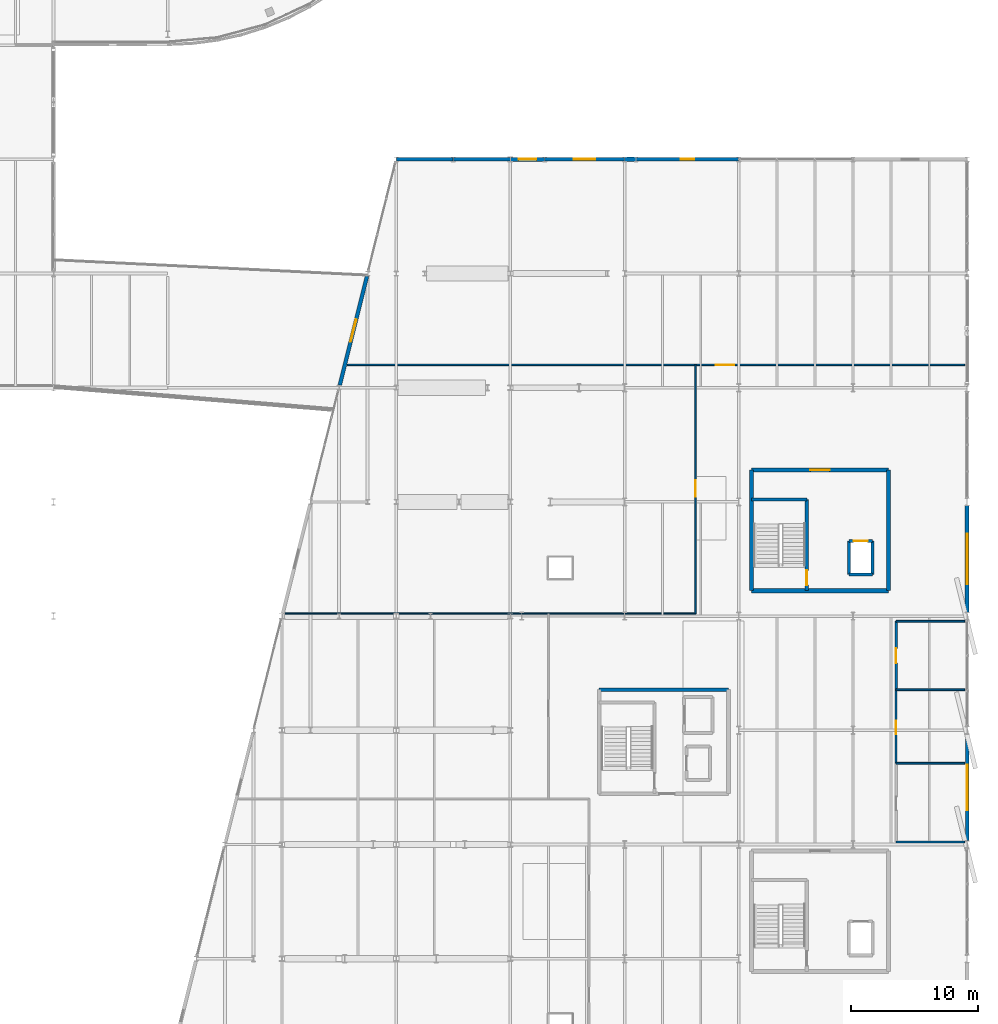
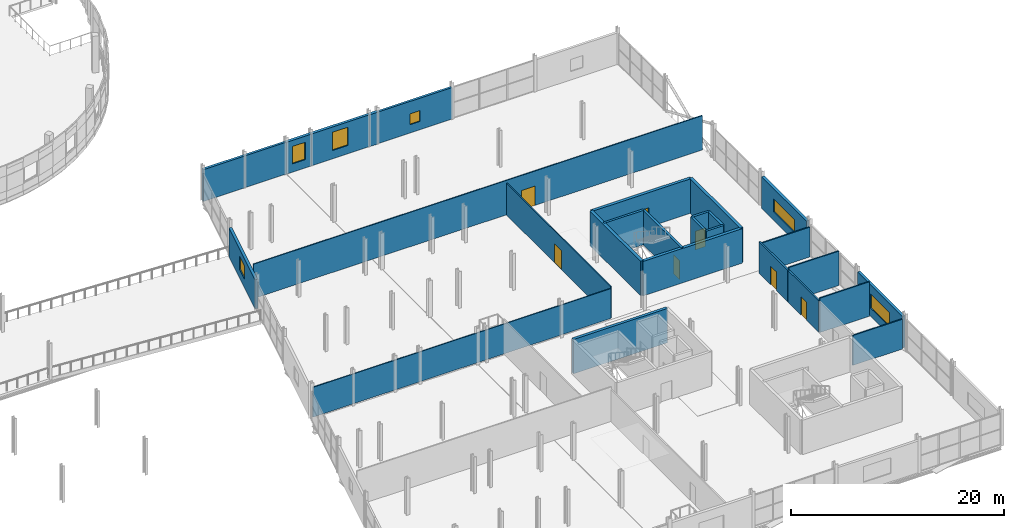
# One storey, part 117 of 135: 29 walls, 7 doors, 6 windows, 13 openings.
"""IFC4 building model written with IfcOpenShell, lengths in metres."""

from ifc_helpers import new_model, si_unit, direction, frame, frame_2d, origin, place, context, subcontext, project, spatial, rectangle, extrude, material, layer, layer_set, type_object, element, fill, save


model = new_model("IFC4")

# Units and contexts
model_context = context("Model", 3, precision=1e-05, world=origin(), true_north=direction((0.0, 1.0)))
body_context = subcontext(model_context, "Body", "Model", "MODEL_VIEW")
ifc_project = project(units=[si_unit("LENGTHUNIT", "METRE"), si_unit("AREAUNIT", "SQUARE_METRE"), si_unit("VOLUMEUNIT", "CUBIC_METRE"), si_unit("PLANEANGLEUNIT", "RADIAN"), si_unit("MASSUNIT", "GRAM", prefix="KILO")], contexts=[model_context])

# Site, building, storey
site_placement = place(None, origin())
site = spatial("IfcSite", under=ifc_project, at=site_placement, CompositionType="ELEMENT")
building_placement = place(site_placement, origin())
building = spatial("IfcBuilding", under=site, at=building_placement, Name="Deido Ridge Mobility Hub", CompositionType="ELEMENT")
storey_placement = place(building_placement, frame((0.0, 0.0, 4.199951171875)))
storey = spatial("IfcBuildingStorey", under=building, at=storey_placement, Name="L01", CompositionType="ELEMENT", Elevation=4.199951171875)

# Wall, opening, window
ifc_material_1 = material(Name="Concrete blockwork masonry", Category="masonry")
ifc_layer_1 = layer(ifc_material_1, 0.2451171875, Name="Concrete blockwork masonry")
ifc_layer_set_1 = layer_set([ifc_layer_1], Name="Concrete blockwork masonry")
wall_type_1 = type_object("IfcWallType", Name="WL-EXT-BLK-245", PredefinedType="STANDARD", material=ifc_layer_set_1)
wall_1_placement = place(storey_placement, frame((153.90625, 72.0, 0.0), z_axis=(0.0, 0.0, 1.0), x_axis=(1.0, 0.0, 0.0)))
wall_1 = element("IfcWall", 1, at=wall_1_placement, inside=storey, type_object=wall_type_1, Name="Exterior wall EW4", PredefinedType="STANDARD", context=body_context, shape_type="SweptSolid", body=[
    extrude(rectangle(XDim=8.087646484375, YDim=0.2451171875, at=frame_2d((4.0439453125, 0.0))), origin(), (0.0, 0.0, 1.0), 3.6201171875),
])
opening_1_placement = place(wall_1_placement, frame((3.518798828125, 0.0, 0.949951171875)))
opening_1 = element("IfcOpeningElement", 2, at=opening_1_placement, cuts=wall_1, Name="Opening W2", PredefinedType="OPENING", context=body_context, shape_type="SweptSolid", body=[
    extrude(rectangle(XDim=1.050048828125, YDim=1.25, at=frame_2d((0.52490234375, 0.625))), frame((0.0, 0.132568359375, 0.0), z_axis=(0.0, -1.0, 0.0), x_axis=(1.0, 0.0, 0.0)), (0.0, 0.0, 1.0), 0.26513671875),
])
ifc_material_2 = material(Name="Laminated solar-control low-E glass", Category="glass")
window_type_1 = type_object("IfcWindowType", Name="WN-ALU-1050X1250", PartitioningType="SINGLE_PANEL", PredefinedType="WINDOW", material=ifc_material_2)
window_1_placement = place(opening_1_placement, origin())
window_1 = element("IfcWindow", 3, at=window_1_placement, inside=storey, type_object=window_type_1, Name="Exterior window W2", OverallHeight=1.25, OverallWidth=1.050048828125, PartitioningType="SINGLE_PANEL", PredefinedType="WINDOW", context=body_context, shape_type="SweptSolid", body=[
    extrude(rectangle(XDim=1.050048828125, YDim=1.25, at=frame_2d((0.52490234375, 0.625))), frame((0.0, 0.030029296875, 0.0), z_axis=(0.0, -1.0, 0.0), x_axis=(1.0, 0.0, 0.0)), (0.0, 0.0, 1.0), 0.06005859375),
])
fill(opening_1, window_1)

ifc_material_3 = material(Name="Fired clay brick masonry", Category="masonry")
ifc_layer_2 = layer(ifc_material_3, 0.294921875, Name="Fired clay brick masonry")
ifc_layer_set_2 = layer_set([ifc_layer_2], Name="Fired clay brick masonry")
wall_type_2 = type_object("IfcWallType", Name="WL-EXT-BRK-295", PredefinedType="STANDARD", material=ifc_layer_set_2)
wall_2_placement = place(storey_placement, frame((146.706298828125, 72.0, 0.0), z_axis=(0.0, 0.0, 1.0), x_axis=(1.0, 0.0, 0.0)))
wall_2 = element("IfcWall", 4, at=wall_2_placement, inside=storey, type_object=wall_type_2, Name="Exterior wall EW2", PredefinedType="STANDARD", context=body_context, shape_type="SweptSolid", body=[
    extrude(rectangle(XDim=6.28759765625, YDim=0.294921875, at=frame_2d((3.143798828125, 0.0))), origin(), (0.0, 0.0, 1.0), 3.650146484375),
])
opening_2_placement = place(wall_2_placement, frame((2.293701171875, 0.0, 0.949951171875)))
opening_2 = element("IfcOpeningElement", 5, at=opening_2_placement, cuts=wall_2, Name="Opening W22", PredefinedType="OPENING", context=body_context, shape_type="SweptSolid", body=[
    extrude(rectangle(XDim=1.699951171875, YDim=2.10009765625, at=frame_2d((0.85009765625, 1.050048828125))), frame((0.0, 0.157470703125, 0.0), z_axis=(0.0, -1.0, 0.0), x_axis=(1.0, 0.0, 0.0)), (0.0, 0.0, 1.0), 0.31494140625),
])
window_type_2 = type_object("IfcWindowType", Name="WN-ALU-1700X2100", PartitioningType="SINGLE_PANEL", PredefinedType="WINDOW", material=ifc_material_2)
window_2_placement = place(opening_2_placement, origin())
window_2 = element("IfcWindow", 6, at=window_2_placement, inside=storey, type_object=window_type_2, Name="Exterior window W22", OverallHeight=2.10009765625, OverallWidth=1.699951171875, PartitioningType="SINGLE_PANEL", PredefinedType="WINDOW", context=body_context, shape_type="SweptSolid", body=[
    extrude(rectangle(XDim=1.699951171875, YDim=2.10009765625, at=frame_2d((0.85009765625, 1.050048828125))), frame((0.0, 0.030029296875, 0.0), z_axis=(0.0, -1.0, 0.0), x_axis=(1.0, 0.0, 0.0)), (0.0, 0.0, 1.0), 0.06005859375),
])
fill(opening_2, window_2)

wall_3_placement = place(storey_placement, frame((130.55126953125, 54.20458984375, 0.0), z_axis=(0.0, 0.0, 1.0), x_axis=(0.242509676291, 0.970148986963, 0.0)))
wall_3 = element("IfcWall", 7, at=wall_3_placement, inside=storey, type_object=wall_type_2, Name="Exterior wall EW2", PredefinedType="STANDARD", context=body_context, shape_type="SweptSolid", body=[
    extrude(rectangle(XDim=8.855224609375, YDim=0.294921875, at=frame_2d((4.427734375, 0.0))), origin(), (0.0, 0.0, 1.0), 3.320068359375),
])
opening_3_placement = place(wall_3_placement, frame((3.527587890625, 0.0, 0.949951171875)))
opening_3 = element("IfcOpeningElement", 8, at=opening_3_placement, cuts=wall_3, Name="Opening W7", PredefinedType="OPENING", context=body_context, shape_type="SweptSolid", body=[
    extrude(rectangle(XDim=1.800048828125, YDim=1.60009765625, at=frame_2d((0.89990234375, 0.800048828125))), frame((0.0, 0.157470703125, 0.0), z_axis=(0.0, -1.0, 0.0), x_axis=(1.0, 0.0, 0.0)), (0.0, 0.0, 1.0), 0.31494140625),
])
window_type_3 = type_object("IfcWindowType", Name="WN-ALU-1800X1600", PartitioningType="DOUBLE_PANEL_VERTICAL", PredefinedType="WINDOW", material=ifc_material_2)
window_3_placement = place(opening_3_placement, origin())
window_3 = element("IfcWindow", 9, at=window_3_placement, inside=storey, type_object=window_type_3, Name="Exterior window W7", OverallHeight=1.60009765625, OverallWidth=1.800048828125, PartitioningType="SINGLE_PANEL", PredefinedType="WINDOW", context=body_context, shape_type="SweptSolid", body=[
    extrude(rectangle(XDim=1.800048828125, YDim=1.60009765625, at=frame_2d((0.89990234375, 0.800048828125))), frame((0.0, 0.030029296875, 0.0), z_axis=(0.0, -1.0, 0.0), x_axis=(1.0, 0.0, 0.0)), (0.0, 0.0, 1.0), 0.06005859375),
])
fill(opening_3, window_3)

ifc_layer_3 = layer(ifc_material_3, 0.31005859375, Name="Fired clay brick masonry")
ifc_layer_set_3 = layer_set([ifc_layer_3], Name="Fired clay brick masonry")
wall_type_3 = type_object("IfcWallType", Name="WL-EXT-BRK-310", PredefinedType="STANDARD", material=ifc_layer_set_3)
wall_4_placement = place(storey_placement, frame((180.0, 36.300048828125, 0.0), z_axis=(0.0, 0.0, 1.0), x_axis=(0.0, 1.0, 0.0)))
wall_4 = element("IfcWall", 10, at=wall_4_placement, inside=storey, type_object=wall_type_3, Name="Exterior wall EW1", PredefinedType="STANDARD", context=body_context, shape_type="SweptSolid", body=[
    extrude(rectangle(XDim=8.39990234375, YDim=0.31005859375, at=frame_2d((4.199951171875, 0.0))), origin(), (0.0, 0.0, 1.0), 3.6201171875),
])
opening_4_placement = place(wall_4_placement, frame((2.199951171875, 0.0, 0.949951171875)))
opening_4 = element("IfcOpeningElement", 11, at=opening_4_placement, cuts=wall_4, Name="Opening W20", PredefinedType="OPENING", context=body_context, shape_type="SweptSolid", body=[
    extrude(rectangle(XDim=4.0, YDim=1.5, at=frame_2d((2.0, 0.75))), frame((0.0, 0.1650390625, 0.0), z_axis=(0.0, -1.0, 0.0), x_axis=(1.0, 0.0, 0.0)), (0.0, 0.0, 1.0), 0.330078125),
])
window_type_4 = type_object("IfcWindowType", Name="WN-ALU-4000X1500", PartitioningType="DOUBLE_PANEL_VERTICAL", PredefinedType="WINDOW", material=ifc_material_2)
window_4_placement = place(opening_4_placement, origin())
window_4 = element("IfcWindow", 12, at=window_4_placement, inside=storey, type_object=window_type_4, Name="Exterior window W20", OverallHeight=1.5, OverallWidth=4.0, PartitioningType="SINGLE_PANEL", PredefinedType="WINDOW", context=body_context, shape_type="SweptSolid", body=[
    extrude(rectangle(XDim=4.0, YDim=1.5, at=frame_2d((2.0, 0.75))), frame((0.0, 0.030029296875, 0.0), z_axis=(0.0, -1.0, 0.0), x_axis=(1.0, 0.0, 0.0)), (0.0, 0.0, 1.0), 0.06005859375),
])
fill(opening_4, window_4)

wall_5_placement = place(storey_placement, frame((144.0087890625, 72.0, 0.0), z_axis=(0.0, 0.0, 1.0), x_axis=(1.0, 0.0, 0.0)))
wall_5 = element("IfcWall", 13, at=wall_5_placement, inside=storey, type_object=wall_type_3, Name="Exterior wall EW1", PredefinedType="STANDARD", context=body_context, shape_type="SweptSolid", body=[
    extrude(rectangle(XDim=2.684814453125, YDim=0.31005859375, at=frame_2d((1.34228515625, 0.0))), origin(), (0.0, 0.0, 1.0), 3.650146484375),
])
opening_5_placement = place(wall_5_placement, frame((0.642578125, 0.0, 0.949951171875)))
opening_5 = element("IfcOpeningElement", 14, at=opening_5_placement, cuts=wall_5, Name="Opening W21", PredefinedType="OPENING", context=body_context, shape_type="SweptSolid", body=[
    extrude(rectangle(XDim=1.39990234375, YDim=2.0, at=frame_2d((0.699951171875, 1.0))), frame((0.0, 0.1650390625, 0.0), z_axis=(0.0, -1.0, 0.0), x_axis=(1.0, 0.0, 0.0)), (0.0, 0.0, 1.0), 0.330078125),
])
window_type_5 = type_object("IfcWindowType", Name="WN-ALU-1400X2000", PartitioningType="SINGLE_PANEL", PredefinedType="WINDOW", material=ifc_material_2)
window_5_placement = place(opening_5_placement, origin())
window_5 = element("IfcWindow", 15, at=window_5_placement, inside=storey, type_object=window_type_5, Name="Exterior window W21", OverallHeight=2.0, OverallWidth=1.39990234375, PartitioningType="SINGLE_PANEL", PredefinedType="WINDOW", context=body_context, shape_type="SweptSolid", body=[
    extrude(rectangle(XDim=1.39990234375, YDim=2.0, at=frame_2d((0.699951171875, 1.0))), frame((0.0, 0.030029296875, 0.0), z_axis=(0.0, -1.0, 0.0), x_axis=(1.0, 0.0, 0.0)), (0.0, 0.0, 1.0), 0.06005859375),
])
fill(opening_5, window_5)

# Wall
ifc_material_4 = material(Name="Concrete C35/45", Category="concrete")
ifc_layer_4 = layer(ifc_material_4, 0.340087890625, Name="Concrete C35/45")
ifc_layer_set_4 = layer_set([ifc_layer_4], Name="Concrete C35/45")
wall_type_4 = type_object("IfcWallType", Name="WL-EXT-RC-340", PredefinedType="STANDARD", material=ifc_layer_set_4)
wall_6_placement = place(storey_placement, frame((153.006103515625, 72.0, 0.0), z_axis=(0.0, 0.0, 1.0), x_axis=(1.0, 0.0, 0.0)))
element("IfcWall", 16, at=wall_6_placement, inside=storey, type_object=wall_type_4, Name="Exterior wall EW5", PredefinedType="STANDARD", context=body_context, shape_type="SweptSolid", body=[
    extrude(rectangle(XDim=0.8876953125, YDim=0.340087890625, at=frame_2d((0.44384765625, 0.0))), origin(), (0.0, 0.0, 1.0), 3.650146484375),
])

# Wall, opening, door
ifc_material_5 = material(Name="Treated tropical hardwood timber D40", Category="wood")
ifc_layer_5 = layer(ifc_material_5, 0.10498046875, Name="Treated tropical hardwood timber D40")
ifc_layer_set_5 = layer_set([ifc_layer_5], Name="Treated tropical hardwood timber D40")
wall_type_5 = type_object("IfcWallType", Name="WL-MOV-ACO-105", PredefinedType="MOVABLE", material=ifc_layer_set_5)
wall_7_placement = place(storey_placement, frame((131.14990234375, 55.800048828125, 0.0), z_axis=(0.0, 0.0, 1.0), x_axis=(1.0, 0.0, 0.0)))
wall_7 = element("IfcWall", 17, at=wall_7_placement, inside=storey, type_object=wall_type_5, Name="V6 north hall divider (L01)", PredefinedType="MOVABLE", context=body_context, shape_type="SweptSolid", body=[
    extrude(rectangle(XDim=48.650146484375, YDim=0.10498046875, at=frame_2d((24.3251953125, 0.0))), origin(), (0.0, 0.0, 1.0), 3.945068359375),
])
opening_6_placement = place(wall_7_placement, frame((29.050048828125, 0.0, 0.0)))
opening_6 = element("IfcOpeningElement", 18, at=opening_6_placement, cuts=wall_7, Name="Opening DR-L01-156", PredefinedType="OPENING", context=body_context, shape_type="SweptSolid", body=[
    extrude(rectangle(XDim=1.449951171875, YDim=2.219970703125, at=frame_2d((0.72509765625, 1.10986328125))), frame((0.0, 0.0625, 0.0), z_axis=(0.0, -1.0, 0.0), x_axis=(1.0, 0.0, 0.0)), (0.0, 0.0, 1.0), 0.125),
])
door_type_1 = type_object("IfcDoorType", Name="DR-INT-1450X2220", OperationType="DOUBLE_DOOR_SINGLE_SWING", PredefinedType="DOOR", material=ifc_material_5)
door_1_placement = place(opening_6_placement, origin())
door_1 = element("IfcDoor", 19, at=door_1_placement, inside=storey, type_object=door_type_1, Name="DR-I0156 V6 north hall door (L01)", OperationType="DOUBLE_DOOR_SINGLE_SWING", OverallHeight=2.219970703125, OverallWidth=1.449951171875, PredefinedType="DOOR", context=body_context, shape_type="SweptSolid", body=[
    extrude(rectangle(XDim=1.449951171875, YDim=2.219970703125, at=frame_2d((0.72509765625, 1.10986328125))), frame((0.0, 0.02490234375, 0.0), z_axis=(0.0, -1.0, 0.0), x_axis=(1.0, 0.0, 0.0)), (0.0, 0.0, 1.0), 0.050048828125),
])
fill(opening_6, door_1)

ifc_layer_6 = layer(ifc_material_5, 0.114990234375, Name="Treated tropical hardwood timber D40")
ifc_layer_set_6 = layer_set([ifc_layer_6], Name="Treated tropical hardwood timber D40")
wall_type_6 = type_object("IfcWallType", Name="WL-MOV-ACO-115", PredefinedType="MOVABLE", material=ifc_layer_set_6)
wall_8_placement = place(storey_placement, frame((158.60009765625, 36.199951171875, 0.0), z_axis=(0.0, 0.0, 1.0), x_axis=(0.0, 1.0, 0.0)))
wall_8 = element("IfcWall", 20, at=wall_8_placement, inside=storey, type_object=wall_type_6, Name="V6 north-west room wall (L01)", PredefinedType="MOVABLE", context=body_context, shape_type="SweptSolid", body=[
    extrude(rectangle(XDim=19.60009765625, YDim=0.114990234375, at=frame_2d((9.800048828125, 0.0))), origin(), (0.0, 0.0, 1.0), 3.650146484375),
])
opening_7_placement = place(wall_8_placement, frame((9.199951171875, 0.0, 0.0)))
opening_7 = element("IfcOpeningElement", 21, at=opening_7_placement, cuts=wall_8, Name="Opening DR-L01-155", PredefinedType="OPENING", context=body_context, shape_type="SweptSolid", body=[
    extrude(rectangle(XDim=1.320068359375, YDim=2.199951171875, at=frame_2d((0.66015625, 1.10009765625))), frame((0.0, 0.0673828125, 0.0), z_axis=(0.0, -1.0, 0.0), x_axis=(1.0, 0.0, 0.0)), (0.0, 0.0, 1.0), 0.135009765625),
])
door_type_2 = type_object("IfcDoorType", Name="DR-INT-1320X2200", OperationType="NOTDEFINED", PredefinedType="DOOR", material=ifc_material_5)
door_2_placement = place(opening_7_placement, origin())
door_2 = element("IfcDoor", 22, at=door_2_placement, inside=storey, type_object=door_type_2, Name="DR-I0155 V6 north-west room door (L01)", OperationType="SINGLE_SWING_RIGHT", OverallHeight=2.199951171875, OverallWidth=1.320068359375, PredefinedType="DOOR", context=body_context, shape_type="SweptSolid", body=[
    extrude(rectangle(XDim=1.320068359375, YDim=2.199951171875, at=frame_2d((0.66015625, 1.10009765625))), frame((0.0, 0.02490234375, 0.0), z_axis=(0.0, -1.0, 0.0), x_axis=(1.0, 0.0, 0.0)), (0.0, 0.0, 1.0), 0.050048828125),
])
fill(opening_7, door_2)

# Wall
ifc_layer_7 = layer(ifc_material_1, 0.2548828125, Name="Concrete blockwork masonry")
ifc_layer_set_7 = layer_set([ifc_layer_7], Name="Concrete blockwork masonry")
wall_type_7 = type_object("IfcWallType", Name="WL-PLG-BLK-255", PredefinedType="POLYGONAL", material=ifc_layer_set_7)
wall_9_placement = place(storey_placement, frame((139.506103515625, 72.0, 0.0), z_axis=(0.0, 0.0, 1.0), x_axis=(1.0, 0.0, 0.0)))
element("IfcWall", 23, at=wall_9_placement, inside=storey, type_object=wall_type_7, Name="Exterior wall PGW2", PredefinedType="POLYGONAL", context=body_context, shape_type="SweptSolid", body=[
    extrude(rectangle(XDim=4.485107421875, YDim=0.2548828125, at=frame_2d((2.24267578125, 0.0))), origin(), (0.0, 0.0, 1.0), 3.650146484375),
])

# Wall, opening, window
ifc_layer_8 = layer(ifc_material_3, 0.27490234375, Name="Fired clay brick masonry")
ifc_layer_set_8 = layer_set([ifc_layer_8], Name="Fired clay brick masonry")
wall_type_8 = type_object("IfcWallType", Name="WL-PLG-BRK-275", PredefinedType="POLYGONAL", material=ifc_layer_set_8)
wall_10_placement = place(storey_placement, frame((180.0, 18.300048828125, 0.0), z_axis=(0.0, 0.0, 1.0), x_axis=(0.0, 1.0, 0.0)))
wall_10 = element("IfcWall", 24, at=wall_10_placement, inside=storey, type_object=wall_type_8, Name="Exterior wall PGW1", PredefinedType="POLYGONAL", context=body_context, shape_type="SweptSolid", body=[
    extrude(rectangle(XDim=8.39990234375, YDim=0.27490234375, at=frame_2d((4.199951171875, 0.0))), origin(), (0.0, 0.0, 1.0), 3.6201171875),
])
opening_8_placement = place(wall_10_placement, frame((2.39990234375, 0.0, 0.949951171875)))
opening_8 = element("IfcOpeningElement", 25, at=opening_8_placement, cuts=wall_10, Name="Opening W18", PredefinedType="OPENING", context=body_context, shape_type="SweptSolid", body=[
    extrude(rectangle(XDim=3.60009765625, YDim=1.64990234375, at=frame_2d((1.800048828125, 0.824951171875))), frame((0.0, 0.1474609375, 0.0), z_axis=(0.0, -1.0, 0.0), x_axis=(1.0, 0.0, 0.0)), (0.0, 0.0, 1.0), 0.294921875),
])
window_type_6 = type_object("IfcWindowType", Name="WN-ALU-3600X1650", PartitioningType="DOUBLE_PANEL_VERTICAL", PredefinedType="WINDOW", material=ifc_material_2)
window_6_placement = place(opening_8_placement, origin())
window_6 = element("IfcWindow", 26, at=window_6_placement, inside=storey, type_object=window_type_6, Name="Exterior window W18", OverallHeight=1.64990234375, OverallWidth=3.60009765625, PartitioningType="SINGLE_PANEL", PredefinedType="WINDOW", context=body_context, shape_type="SweptSolid", body=[
    extrude(rectangle(XDim=3.60009765625, YDim=1.64990234375, at=frame_2d((1.800048828125, 0.824951171875))), frame((0.0, 0.030029296875, 0.0), z_axis=(0.0, -1.0, 0.0), x_axis=(1.0, 0.0, 0.0)), (0.0, 0.0, 1.0), 0.06005859375),
])
fill(opening_8, window_6)

# Walls
wall_11_placement = place(storey_placement, frame((135.006103515625, 72.0, 0.0), z_axis=(0.0, 0.0, 1.0), x_axis=(1.0, 0.0, 0.0)))
element("IfcWall", 27, at=wall_11_placement, inside=storey, type_object=wall_type_8, Name="Exterior wall PGW1", PredefinedType="POLYGONAL", context=body_context, shape_type="SweptSolid", body=[
    extrude(rectangle(XDim=4.48779296875, YDim=0.27490234375, at=frame_2d((2.243896484375, 0.0))), origin(), (0.0, 0.0, 1.0), 3.650146484375),
])
ifc_layer_9 = layer(ifc_material_1, 0.10009765625, Name="Concrete blockwork masonry")
ifc_layer_set_9 = layer_set([ifc_layer_9], Name="Concrete blockwork masonry")
wall_type_9 = type_object("IfcWallType", Name="WL-PRT-BLK-100", PredefinedType="PARTITIONING", material=ifc_layer_set_9)
wall_12_placement = place(storey_placement, frame((126.25, 36.199951171875, 0.0), z_axis=(0.0, 0.0, 1.0), x_axis=(1.0, 0.0, 0.0)))
element("IfcWall", 28, at=wall_12_placement, inside=storey, type_object=wall_type_9, Name="V6 central-north cross wall (L01)", PredefinedType="PARTITIONING", context=body_context, shape_type="SweptSolid", body=[
    extrude(rectangle(XDim=32.35009765625, YDim=0.10009765625, at=frame_2d((16.175048828125, 0.0))), origin(), (0.0, 0.0, 1.0), 3.420166015625),
])
ifc_layer_10 = layer(ifc_material_1, 0.139892578125, Name="Concrete blockwork masonry")
ifc_layer_set_10 = layer_set([ifc_layer_10], Name="Concrete blockwork masonry")
wall_type_10 = type_object("IfcWallType", Name="WL-PRT-BLK-140", PredefinedType="PARTITIONING", material=ifc_layer_set_10)
wall_13_placement = place(storey_placement, frame((174.39990234375, 18.199951171875, 0.0), z_axis=(0.0, 0.0, 1.0), x_axis=(1.0, 0.0, 0.0)))
element("IfcWall", 29, at=wall_13_placement, inside=storey, type_object=wall_type_10, Name="WC cross wall (L01)", PredefinedType="PARTITIONING", context=body_context, shape_type="SweptSolid", body=[
    extrude(rectangle(XDim=5.400146484375, YDim=0.139892578125, at=frame_2d((2.7001953125, 0.0))), origin(), (0.0, 0.0, 1.0), 3.420166015625),
])
for number, where, z_axis, x_axis, name in (
    (30, (174.39990234375, 24.39990234375, 0.0), (0.0, 0.0, 1.0), (1.0, 0.0, 0.0), "WC cross wall (L01)"),
    (31, (174.39990234375, 30.199951171875, 0.0), (0.0, 0.0, 1.0), (1.0, 0.0, 0.0), "WC cross wall (L01)"),
):
    element("IfcWall", number, at=place(storey_placement, frame(where, z_axis=z_axis, x_axis=x_axis)), inside=storey, type_object=wall_type_10, Name=name, PredefinedType="PARTITIONING", context=body_context, shape_type="SweptSolid", body=[
        extrude(rectangle(XDim=5.400146484375, YDim=0.139892578125, at=frame_2d((2.7001953125, 0.0))), origin(), (0.0, 0.0, 1.0), 3.945068359375),
    ])
wall_14_placement = place(storey_placement, frame((174.39990234375, 35.60009765625, 0.0), z_axis=(0.0, 0.0, 1.0), x_axis=(1.0, 0.0, 0.0)))
element("IfcWall", 32, at=wall_14_placement, inside=storey, type_object=wall_type_10, Name="WC cross wall (L01)", PredefinedType="PARTITIONING", context=body_context, shape_type="SweptSolid", body=[
    extrude(rectangle(XDim=5.400146484375, YDim=0.139892578125, at=frame_2d((2.7001953125, 0.0))), origin(), (0.0, 0.0, 1.0), 3.420166015625),
])

# Wall, opening, door
ifc_layer_11 = layer(ifc_material_1, 0.169921875, Name="Concrete blockwork masonry")
ifc_layer_set_11 = layer_set([ifc_layer_11], Name="Concrete blockwork masonry")
wall_type_11 = type_object("IfcWallType", Name="WL-PRT-BLK-170", PredefinedType="PARTITIONING", material=ifc_layer_set_11)
wall_15_placement = place(storey_placement, frame((174.39990234375, 24.39990234375, 0.0), z_axis=(0.0, 0.0, 1.0), x_axis=(0.0, 1.0, 0.0)))
wall_15 = element("IfcWall", 33, at=wall_15_placement, inside=storey, type_object=wall_type_11, Name="Female WC west wall (L01)", PredefinedType="PARTITIONING", context=body_context, shape_type="SweptSolid", body=[
    extrude(rectangle(XDim=5.800048828125, YDim=0.169921875, at=frame_2d((2.89990234375, 0.0))), origin(), (0.0, 0.0, 1.0), 3.6201171875),
])
opening_9_placement = place(wall_15_placement, frame((2.300048828125, 0.0, 0.0)))
opening_9 = element("IfcOpeningElement", 34, at=opening_9_placement, cuts=wall_15, Name="Opening DR-L01-150", PredefinedType="OPENING", context=body_context, shape_type="SweptSolid", body=[
    extrude(rectangle(XDim=1.050048828125, YDim=2.10009765625, at=frame_2d((0.52490234375, 1.050048828125))), frame((0.0, 0.094970703125, 0.0), z_axis=(0.0, -1.0, 0.0), x_axis=(1.0, 0.0, 0.0)), (0.0, 0.0, 1.0), 0.18994140625),
])
ifc_material_6 = material(Name="Galvanised steel work", Category="steel")
door_type_3 = type_object("IfcDoorType", Name="DR-FD60-1050X2100", OperationType="NOTDEFINED", PredefinedType="DOOR", material=ifc_material_6)
door_3_placement = place(opening_9_placement, origin())
door_3 = element("IfcDoor", 35, at=door_3_placement, inside=storey, type_object=door_type_3, Name="DR-I0150 Female WC door (L01)", OperationType="SINGLE_SWING_LEFT", OverallHeight=2.10009765625, OverallWidth=1.050048828125, PredefinedType="DOOR", context=body_context, shape_type="SweptSolid", body=[
    extrude(rectangle(XDim=1.050048828125, YDim=2.10009765625, at=frame_2d((0.52490234375, 1.050048828125))), frame((0.0, 0.02490234375, 0.0), z_axis=(0.0, -1.0, 0.0), x_axis=(1.0, 0.0, 0.0)), (0.0, 0.0, 1.0), 0.050048828125),
])
fill(opening_9, door_3)

ifc_layer_12 = layer(ifc_material_1, 0.179931640625, Name="Concrete blockwork masonry")
ifc_layer_set_12 = layer_set([ifc_layer_12], Name="Concrete blockwork masonry")
wall_type_12 = type_object("IfcWallType", Name="WL-PRT-BLK-180", PredefinedType="PARTITIONING", material=ifc_layer_set_12)
wall_16_placement = place(storey_placement, frame((174.39990234375, 30.199951171875, 0.0), z_axis=(0.0, 0.0, 1.0), x_axis=(0.0, 1.0, 0.0)))
wall_16 = element("IfcWall", 36, at=wall_16_placement, inside=storey, type_object=wall_type_12, Name="Accessible WC west wall (L01)", PredefinedType="PARTITIONING", context=body_context, shape_type="SweptSolid", body=[
    extrude(rectangle(XDim=5.400146484375, YDim=0.179931640625, at=frame_2d((2.7001953125, 0.0))), origin(), (0.0, 0.0, 1.0), 3.6201171875),
])
opening_10_placement = place(wall_16_placement, frame((2.10009765625, 0.0, 0.0)))
opening_10 = element("IfcOpeningElement", 37, at=opening_10_placement, cuts=wall_16, Name="Opening DR-L01-151", PredefinedType="OPENING", context=body_context, shape_type="SweptSolid", body=[
    extrude(rectangle(XDim=1.14990234375, YDim=2.14990234375, at=frame_2d((0.574951171875, 1.074951171875))), frame((0.0, 0.10009765625, 0.0), z_axis=(0.0, -1.0, 0.0), x_axis=(1.0, 0.0, 0.0)), (0.0, 0.0, 1.0), 0.199951171875),
])
door_type_4 = type_object("IfcDoorType", Name="DR-FD60-1150X2150", OperationType="NOTDEFINED", PredefinedType="DOOR", material=ifc_material_6)
door_4_placement = place(opening_10_placement, origin())
door_4 = element("IfcDoor", 38, at=door_4_placement, inside=storey, type_object=door_type_4, Name="DR-I0151 Accessible WC door (L01)", OperationType="SINGLE_SWING_RIGHT", OverallHeight=2.14990234375, OverallWidth=1.14990234375, PredefinedType="DOOR", context=body_context, shape_type="SweptSolid", body=[
    extrude(rectangle(XDim=1.14990234375, YDim=2.14990234375, at=frame_2d((0.574951171875, 1.074951171875))), frame((0.0, 0.02490234375, 0.0), z_axis=(0.0, -1.0, 0.0), x_axis=(1.0, 0.0, 0.0)), (0.0, 0.0, 1.0), 0.050048828125),
])
fill(opening_10, door_4)

ifc_material_7 = material(Name="Concrete C40/50", Category="concrete")
ifc_layer_13 = layer(ifc_material_7, 0.25, Name="Concrete C40/50")
ifc_layer_set_13 = layer_set([ifc_layer_13], Name="Concrete C40/50")
wall_type_13 = type_object("IfcWallType", Name="WL-SHR-RC-250", PredefinedType="SHEAR", material=ifc_layer_set_13)
wall_17_placement = place(storey_placement, frame((167.360107421875, 38.0, 0.0), z_axis=(0.0, 0.0, 1.0), x_axis=(0.0, 1.0, 0.0)))
wall_17 = element("IfcWall", 39, at=wall_17_placement, inside=storey, type_object=wall_type_13, Name="C2 stair shaft east wall", PredefinedType="SHEAR", context=body_context, shape_type="SweptSolid", body=[
    extrude(rectangle(XDim=7.199951171875, YDim=0.25, at=frame_2d((3.60009765625, 0.0))), origin(), (0.0, 0.0, 1.0), 3.945068359375),
])
opening_11_placement = place(wall_17_placement, frame((0.449951171875, 0.0, 0.0)))
opening_11 = element("IfcOpeningElement", 40, at=opening_11_placement, cuts=wall_17, Name="Opening FD-C2-L01", PredefinedType="OPENING", context=body_context, shape_type="SweptSolid", body=[
    extrude(rectangle(XDim=1.14990234375, YDim=2.14990234375, at=frame_2d((0.574951171875, 1.074951171875))), frame((0.0, 0.135009765625, 0.0), z_axis=(0.0, -1.0, 0.0), x_axis=(1.0, 0.0, 0.0)), (0.0, 0.0, 1.0), 0.27001953125),
])
door_5_placement = place(opening_11_placement, origin())
door_5 = element("IfcDoor", 41, at=door_5_placement, inside=storey, type_object=door_type_4, Name="DR-I0031 C2 protected stair door (L01)", OperationType="SINGLE_SWING_LEFT", OverallHeight=2.14990234375, OverallWidth=1.14990234375, PredefinedType="DOOR", context=body_context, shape_type="SweptSolid", body=[
    extrude(rectangle(XDim=1.14990234375, YDim=2.14990234375, at=frame_2d((0.574951171875, 1.074951171875))), frame((0.0, 0.02490234375, 0.0), z_axis=(0.0, -1.0, 0.0), x_axis=(1.0, 0.0, 0.0)), (0.0, 0.0, 1.0), 0.050048828125),
])
fill(opening_11, door_5)

# Walls
wall_18_placement = place(storey_placement, frame((163.0, 45.199951171875, 0.0), z_axis=(0.0, 0.0, 1.0), x_axis=(1.0, 0.0, 0.0)))
element("IfcWall", 42, at=wall_18_placement, inside=storey, type_object=wall_type_13, Name="C2 stair shaft north wall", PredefinedType="SHEAR", context=body_context, shape_type="SweptSolid", body=[
    extrude(rectangle(XDim=4.360107421875, YDim=0.25, at=frame_2d((2.18017578125, 0.0))), origin(), (0.0, 0.0, 1.0), 3.945068359375),
])
wall_19_placement = place(storey_placement, frame((170.675048828125, 39.27490234375, 0.0), z_axis=(0.0, 0.0, 1.0), x_axis=(1.0, 0.0, 0.0)))
element("IfcWall", 43, at=wall_19_placement, inside=storey, type_object=wall_type_13, Name="Lift FL2 rear shaft wall", PredefinedType="SHEAR", context=body_context, shape_type="SweptSolid", body=[
    extrude(rectangle(XDim=1.849853515625, YDim=0.25, at=frame_2d((0.9248046875, 0.0))), origin(), (0.0, 0.0, 1.0), 3.945068359375),
])
for number, where, z_axis, x_axis, name in (
    (44, (170.675048828125, 39.27490234375, 0.0), (0.0, 0.0, 1.0), (0.0, 1.0, 0.0), "Lift FL2 west shaft wall"),
    (45, (172.52490234375, 39.27490234375, 0.0), (0.0, 0.0, 1.0), (0.0, 1.0, 0.0), "Lift FL2 east shaft wall"),
):
    element("IfcWall", number, at=place(storey_placement, frame(where, z_axis=z_axis, x_axis=x_axis)), inside=storey, type_object=wall_type_13, Name=name, PredefinedType="SHEAR", context=body_context, shape_type="SweptSolid", body=[
        extrude(rectangle(XDim=2.650146484375, YDim=0.25, at=frame_2d((1.3251953125, 0.0))), origin(), (0.0, 0.0, 1.0), 3.945068359375),
    ])

# Wall, opening, door
wall_20_placement = place(storey_placement, frame((170.675048828125, 41.925048828125, 0.0), z_axis=(0.0, 0.0, 1.0), x_axis=(1.0, 0.0, 0.0)))
wall_20 = element("IfcWall", 46, at=wall_20_placement, inside=storey, type_object=wall_type_13, Name="Lift FL2 landing wall", PredefinedType="SHEAR", context=body_context, shape_type="SweptSolid", body=[
    extrude(rectangle(XDim=1.849853515625, YDim=0.25, at=frame_2d((0.9248046875, 0.0))), origin(), (0.0, 0.0, 1.0), 3.945068359375),
])
opening_12_placement = place(wall_20_placement, frame((0.375, 0.0, 0.0)))
opening_12 = element("IfcOpeningElement", 47, at=opening_12_placement, cuts=wall_20, Name="Opening LD-FL2", PredefinedType="OPENING", context=body_context, shape_type="SweptSolid", body=[
    extrude(rectangle(XDim=1.10009765625, YDim=2.14990234375, at=frame_2d((0.550048828125, 1.074951171875))), frame((0.0, 0.135009765625, 0.0), z_axis=(0.0, -1.0, 0.0), x_axis=(1.0, 0.0, 0.0)), (0.0, 0.0, 1.0), 0.27001953125),
])
ifc_material_8 = material(Name="Stainless steel 316", Category="steel")
door_type_5 = type_object("IfcDoorType", Name="DR-LND-PAS-1100X2150", OperationType="DOUBLE_DOOR_SLIDING", PredefinedType="USERDEFINED", material=ifc_material_8)
door_6_placement = place(opening_12_placement, origin())
door_6 = element("IfcDoor", 48, at=door_6_placement, inside=storey, type_object=door_type_5, Name="DR-I0033 Lift FL2 sliding landing door (L01)", ObjectType="LANDING DOOR", OperationType="DOUBLE_DOOR_SLIDING", OverallHeight=2.14990234375, OverallWidth=1.10009765625, PredefinedType="USERDEFINED", context=body_context, shape_type="SweptSolid", body=[
    extrude(rectangle(XDim=1.10009765625, YDim=2.14990234375, at=frame_2d((0.550048828125, 1.074951171875))), frame((0.0, 0.02490234375, 0.0), z_axis=(0.0, -1.0, 0.0), x_axis=(1.0, 0.0, 0.0)), (0.0, 0.0, 1.0), 0.050048828125),
])
fill(opening_12, door_6)

# Walls
ifc_layer_14 = layer(ifc_material_7, 0.300048828125, Name="Concrete C40/50")
ifc_layer_set_14 = layer_set([ifc_layer_14], Name="Concrete C40/50")
wall_type_14 = type_object("IfcWallType", Name="WL-SHR-RC-300", PredefinedType="SHEAR", material=ifc_layer_set_14)
wall_21_placement = place(storey_placement, frame((161.199951171875, 30.199951171875, 0.0), z_axis=(0.0, 0.0, 1.0), x_axis=(-1.0, 0.0, 0.0)))
element("IfcWall", 49, at=wall_21_placement, inside=storey, type_object=wall_type_14, Name="C3 north shear wall", PredefinedType="SHEAR", context=body_context, shape_type="SweptSolid", body=[
    extrude(rectangle(XDim=10.199951171875, YDim=0.300048828125, at=frame_2d((5.10009765625, 0.0))), origin(), (0.0, 0.0, 1.0), 3.945068359375),
])
ifc_layer_15 = layer(ifc_material_7, 0.324951171875, Name="Concrete C40/50")
ifc_layer_set_15 = layer_set([ifc_layer_15], Name="Concrete C40/50")
wall_type_15 = type_object("IfcWallType", Name="WL-SHR-RC-325", PredefinedType="SHEAR", material=ifc_layer_set_15)
wall_22_placement = place(storey_placement, frame((163.0, 38.0, 0.0), z_axis=(0.0, 0.0, 1.0), x_axis=(1.0, 0.0, 0.0)))
element("IfcWall", 50, at=wall_22_placement, inside=storey, type_object=wall_type_15, Name="C2 south shear wall", PredefinedType="SHEAR", context=body_context, shape_type="SweptSolid", body=[
    extrude(rectangle(XDim=10.800048828125, YDim=0.324951171875, at=frame_2d((5.39990234375, 0.0))), origin(), (0.0, 0.0, 1.0), 3.945068359375),
])
wall_23_placement = place(storey_placement, frame((173.800048828125, 38.0, 0.0), z_axis=(0.0, 0.0, 1.0), x_axis=(0.0, 1.0, 0.0)))
element("IfcWall", 51, at=wall_23_placement, inside=storey, type_object=wall_type_15, Name="C2 east shear wall", PredefinedType="SHEAR", context=body_context, shape_type="SweptSolid", body=[
    extrude(rectangle(XDim=9.5, YDim=0.324951171875, at=frame_2d((4.75, 0.0))), origin(), (0.0, 0.0, 1.0), 3.945068359375),
])

# Wall, opening, door
wall_24_placement = place(storey_placement, frame((173.800048828125, 47.5, 0.0), z_axis=(0.0, 0.0, 1.0), x_axis=(-1.0, 0.0, 0.0)))
wall_24 = element("IfcWall", 52, at=wall_24_placement, inside=storey, type_object=wall_type_15, Name="C2 north shear wall", PredefinedType="SHEAR", context=body_context, shape_type="SweptSolid", body=[
    extrude(rectangle(XDim=10.800048828125, YDim=0.324951171875, at=frame_2d((5.39990234375, 0.0))), origin(), (0.0, 0.0, 1.0), 3.945068359375),
])
opening_13_placement = place(wall_24_placement, frame((4.64990234375, 0.0, 0.0)))
opening_13 = element("IfcOpeningElement", 53, at=opening_13_placement, cuts=wall_24, Name="Opening LD-C2-032", PredefinedType="OPENING", context=body_context, shape_type="SweptSolid", body=[
    extrude(rectangle(XDim=1.5, YDim=2.199951171875, at=frame_2d((0.75, 1.10009765625))), frame((0.0, 0.17236328125, 0.0), z_axis=(0.0, -1.0, 0.0), x_axis=(1.0, 0.0, 0.0)), (0.0, 0.0, 1.0), 0.344970703125),
])
door_type_6 = type_object("IfcDoorType", Name="DR-FD60-1500X2200", OperationType="DOUBLE_DOOR_SINGLE_SWING", PredefinedType="DOOR", material=ifc_material_6)
door_7_placement = place(opening_13_placement, origin())
door_7 = element("IfcDoor", 54, at=door_7_placement, inside=storey, type_object=door_type_6, Name="DR-I0032 C2 firefighting lobby door (L01)", OperationType="DOUBLE_DOOR_SINGLE_SWING", OverallHeight=2.199951171875, OverallWidth=1.5, PredefinedType="DOOR", context=body_context, shape_type="SweptSolid", body=[
    extrude(rectangle(XDim=1.5, YDim=2.199951171875, at=frame_2d((0.75, 1.10009765625))), frame((0.0, 0.02490234375, 0.0), z_axis=(0.0, -1.0, 0.0), x_axis=(1.0, 0.0, 0.0)), (0.0, 0.0, 1.0), 0.050048828125),
])
fill(opening_13, door_7)

# Wall
wall_25_placement = place(storey_placement, frame((163.0, 47.5, 0.0), z_axis=(0.0, 0.0, 1.0), x_axis=(0.0, -1.0, 0.0)))
element("IfcWall", 55, at=wall_25_placement, inside=storey, type_object=wall_type_15, Name="C2 west shear wall", PredefinedType="SHEAR", context=body_context, shape_type="SweptSolid", body=[
    extrude(rectangle(XDim=9.5, YDim=0.324951171875, at=frame_2d((4.75, 0.0))), origin(), (0.0, 0.0, 1.0), 3.945068359375),
])

save(model, "model.ifc")
